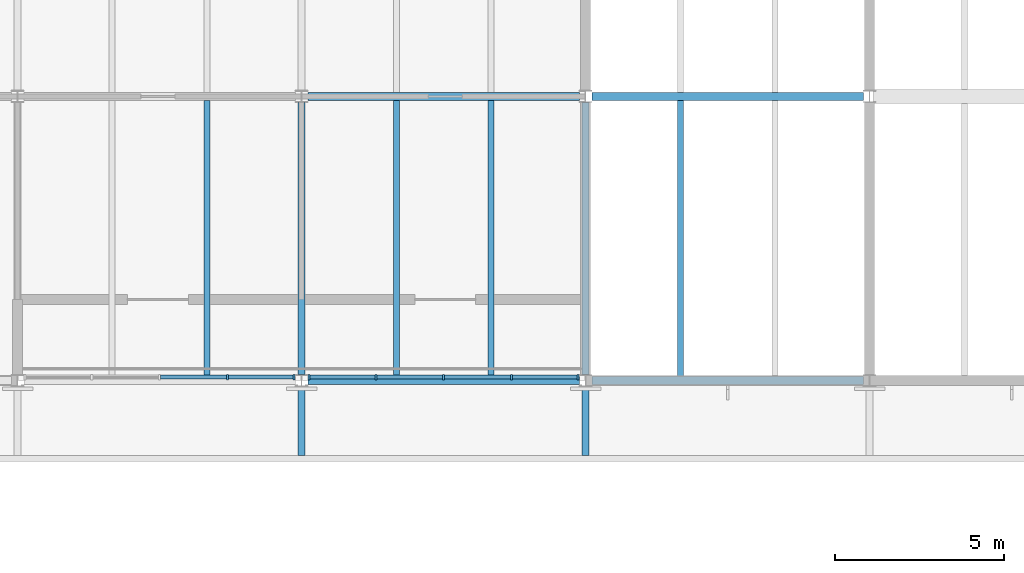
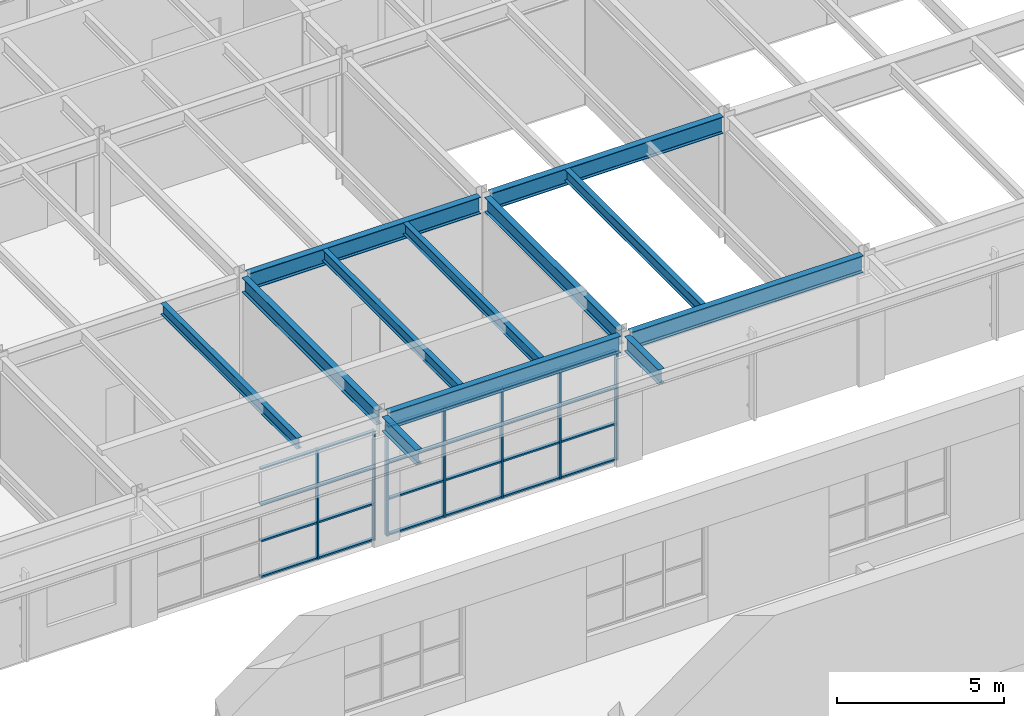
# One storey, part 50 of 116: 31 members, 12 beams, 2 elements without a shape of their own.
"""IFC4 building model written with IfcOpenShell, lengths in metres."""

from ifc_helpers import new_model, si_unit, direction, frame, origin, origin_2d, place, context, subcontext, project, spatial, rectangle, i_section, extrude, material, material_profile, profile_set, type_object, element, aggregate, save


model = new_model("IFC4")

# Units and contexts
model_context = context("Model", 3, precision=1e-05, world=origin(), true_north=direction((0.0, 1.0)))
body_context = subcontext(model_context, "Body", "Model", "MODEL_VIEW")
ifc_project = project(units=[si_unit("LENGTHUNIT", "METRE"), si_unit("AREAUNIT", "SQUARE_METRE"), si_unit("VOLUMEUNIT", "CUBIC_METRE"), si_unit("PLANEANGLEUNIT", "RADIAN"), si_unit("MASSUNIT", "GRAM", prefix="KILO")], contexts=[model_context])

# Site, building, storey
site_placement = place(None, origin())
site = spatial("IfcSite", under=ifc_project, at=site_placement, CompositionType="ELEMENT")
building_placement = place(site_placement, origin())
building = spatial("IfcBuilding", under=site, at=building_placement, Name="Ljudholm Concert House", CompositionType="ELEMENT")
storey_placement = place(building_placement, frame((0.0, 0.0, 10.199951171875)))
storey = spatial("IfcBuildingStorey", under=building, at=storey_placement, Name="L02", CompositionType="ELEMENT", Elevation=10.199951171875)

# Curtain wall, members
ifc_material_1 = material(Name="Aluminium curtain wall with fixed aluminium storm louvre blades, timber-grain finish", Category="aluminium")
curtain_wall_type = type_object("IfcCurtainWallType", Name="CURTAIN WALL 2000", PredefinedType="NOTDEFINED", material=ifc_material_1)
curtain_wall_1_placement = place(storey_placement, origin())
curtain_wall_1 = element("IfcCurtainWall", 1, at=curtain_wall_1_placement, inside=storey, type_object=curtain_wall_type, Name="Storm louvre screen", PredefinedType="NOTDEFINED")
ifc_material_2 = material(Name="Aluminium extrusion", Category="aluminium")
ifc_material_profile_1 = material_profile(ifc_material_2, rectangle(XDim=0.159912109375, YDim=0.06005859375, at=origin_2d()), Name="MULLION 60x160")
ifc_profile_set_1 = profile_set([ifc_material_profile_1], Name="Aluminium extrusion")
member_type_1 = type_object("IfcMemberType", Name="MULLION 60x160", PredefinedType="MULLION", material=ifc_profile_set_1)
member_1_placement = place(storey_placement, frame((69.0048828125, 104.89990234375, 0.0), z_axis=(0.0, 0.0, 1.0), x_axis=(0.0, 1.0, 0.0)))
member_1 = element("IfcMember", 2, at=member_1_placement, type_object=member_type_1, Name="Mullion", PredefinedType="MULLION", context=body_context, shape_type="SweptSolid", body=[
    extrude(rectangle(XDim=0.159912109375, YDim=0.06005859375, at=origin_2d()), origin(), (0.0, 0.0, 1.0), 4.0078125),
])
member_2_placement = place(storey_placement, frame((70.97998046875, 104.89990234375, 0.0), z_axis=(0.0, 0.0, 1.0), x_axis=(0.0, 1.0, 0.0)))
member_2 = element("IfcMember", 3, at=member_2_placement, type_object=member_type_1, Name="Mullion", PredefinedType="MULLION", context=body_context, shape_type="SweptSolid", body=[
    extrude(rectangle(XDim=0.159912109375, YDim=0.06005859375, at=origin_2d()), origin(), (0.0, 0.0, 1.0), 4.0078125),
])

curtain_wall_2_placement = place(storey_placement, origin())
curtain_wall_2 = element("IfcCurtainWall", 4, at=curtain_wall_2_placement, inside=storey, type_object=curtain_wall_type, Name="Storm louvre screen", PredefinedType="NOTDEFINED")
member_3_placement = place(storey_placement, frame((71.419921875, 104.89990234375, 0.0), z_axis=(0.0, 0.0, 1.0), x_axis=(0.0, 1.0, 0.0)))
member_3 = element("IfcMember", 5, at=member_3_placement, type_object=member_type_1, Name="Mullion", PredefinedType="MULLION", context=body_context, shape_type="SweptSolid", body=[
    extrude(rectangle(XDim=0.159912109375, YDim=0.06005859375, at=origin_2d()), origin(), (0.0, 0.0, 1.0), 4.0078125),
])
member_4_placement = place(storey_placement, frame((73.39501953125, 104.89990234375, 0.0), z_axis=(0.0, 0.0, 1.0), x_axis=(0.0, 1.0, 0.0)))
member_4 = element("IfcMember", 6, at=member_4_placement, type_object=member_type_1, Name="Mullion", PredefinedType="MULLION", context=body_context, shape_type="SweptSolid", body=[
    extrude(rectangle(XDim=0.159912109375, YDim=0.06005859375, at=origin_2d()), origin(), (0.0, 0.0, 1.0), 4.0078125),
])
member_5_placement = place(storey_placement, frame((75.39990234375, 104.89990234375, 0.0), z_axis=(0.0, 0.0, 1.0), x_axis=(0.0, 1.0, 0.0)))
member_5 = element("IfcMember", 7, at=member_5_placement, type_object=member_type_1, Name="Mullion", PredefinedType="MULLION", context=body_context, shape_type="SweptSolid", body=[
    extrude(rectangle(XDim=0.159912109375, YDim=0.06005859375, at=origin_2d()), origin(), (0.0, 0.0, 1.0), 4.0078125),
])
member_6_placement = place(storey_placement, frame((77.405029296875, 104.89990234375, 0.0), z_axis=(0.0, 0.0, 1.0), x_axis=(0.0, 1.0, 0.0)))
member_6 = element("IfcMember", 8, at=member_6_placement, type_object=member_type_1, Name="Mullion", PredefinedType="MULLION", context=body_context, shape_type="SweptSolid", body=[
    extrude(rectangle(XDim=0.159912109375, YDim=0.06005859375, at=origin_2d()), origin(), (0.0, 0.0, 1.0), 4.0078125),
])
member_7_placement = place(storey_placement, frame((79.3798828125, 104.89990234375, 0.0), z_axis=(0.0, 0.0, 1.0), x_axis=(0.0, 1.0, 0.0)))
member_7 = element("IfcMember", 9, at=member_7_placement, type_object=member_type_1, Name="Mullion", PredefinedType="MULLION", context=body_context, shape_type="SweptSolid", body=[
    extrude(rectangle(XDim=0.159912109375, YDim=0.06005859375, at=origin_2d()), origin(), (0.0, 0.0, 1.0), 4.0078125),
])

# Beams
ifc_material_3 = material(Name="Steel ASTM A992", Category="steel")
ifc_material_profile_2 = material_profile(ifc_material_3, i_section(OverallWidth=0.177734375, OverallDepth=0.406494140625, WebThickness=0.0078125, FlangeThickness=0.012939453125, FilletRadius=0.01025390625, at=origin_2d()), Name="W16X40")
ifc_profile_set_2 = profile_set([ifc_material_profile_2], Name="Steel ASTM A992")
beam_type_1 = type_object("IfcBeamType", Name="STEEL BEAM W16X40", PredefinedType="BEAM", material=ifc_profile_set_2)
for number, where, z_axis, x_axis, name in (
    (10, (68.39990234375, 104.91455078125, 4.416748046875), (0.0, 1.0, 0.0), (-1.0, 0.0, 0.0), "Beam STUDIO-ROOF-sb-68.4-104.8"),
    (11, (74.0, 104.91455078125, 4.416748046875), (0.0, 1.0, 0.0), (-1.0, 0.0, 0.0), "Beam STUDIO-ROOF-sb-74-104.8"),
    (12, (76.800048828125, 104.91455078125, 4.416748046875), (0.0, 1.0, 0.0), (-1.0, 0.0, 0.0), "Beam STUDIO-ROOF-sb-76.8-104.8"),
    (13, (82.39990234375, 104.91455078125, 4.416748046875), (0.0, 1.0, 0.0), (-1.0, 0.0, 0.0), "Beam STUDIO-ROOF-sb-82.4-104.8"),
):
    element("IfcBeam", number, at=place(storey_placement, frame(where, z_axis=z_axis, x_axis=x_axis)), inside=storey, type_object=beam_type_1, Name=name, PredefinedType="BEAM", context=body_context, shape_type="SweptSolid", body=[
        extrude(i_section(OverallWidth=0.177734375, OverallDepth=0.406494140625, WebThickness=0.0078125, FlangeThickness=0.012939453125, FilletRadius=0.01025390625, at=origin_2d()), origin(), (0.0, 0.0, 1.0), 8.1708984375),
    ])
ifc_material_4 = material(Name="Steel ASTM A992", Category="steel")
ifc_material_profile_3 = material_profile(ifc_material_4, i_section(OverallWidth=0.209228515625, OverallDepth=0.533447265625, WebThickness=0.01025390625, FlangeThickness=0.015625, FilletRadius=0.012939453125, at=origin_2d()), Name="W21X62")
ifc_profile_set_3 = profile_set([ifc_material_profile_3], Name="Steel ASTM A992")
beam_type_2 = type_object("IfcBeamType", Name="STEEL BEAM W21X62", PredefinedType="BEAM", material=ifc_profile_set_3)
for number, where, z_axis, x_axis, name in (
    (14, (71.199951171875, 104.977783203125, 4.353271484375), (0.0, 1.0, 0.0), (-1.0, 0.0, 0.0), "Beam STUDIO-ROOF-gy-71.2-104.8"),
    (15, (79.60009765625, 104.977783203125, 4.353271484375), (0.0, 1.0, 0.0), (-1.0, 0.0, 0.0), "Beam STUDIO-ROOF-gy-79.6-104.8"),
):
    element("IfcBeam", number, at=place(storey_placement, frame(where, z_axis=z_axis, x_axis=x_axis)), inside=storey, type_object=beam_type_2, Name=name, PredefinedType="BEAM", context=body_context, shape_type="SweptSolid", body=[
        extrude(i_section(OverallWidth=0.209228515625, OverallDepth=0.533447265625, WebThickness=0.01025390625, FlangeThickness=0.015625, FilletRadius=0.012939453125, at=origin_2d()), origin(), (0.0, 0.0, 1.0), 8.04443359375),
    ])
for number, where, z_axis, x_axis, name in (
    (16, (71.199951171875, 104.622314453125, 4.353271484375), (0.0, -1.0, 0.0), (1.0, 0.0, 0.0), "Beam STUDIO-ROOF-eave-gS-71.2"),
    (17, (79.60009765625, 104.622314453125, 4.353271484375), (0.0, -1.0, 0.0), (1.0, 0.0, 0.0), "Beam STUDIO-ROOF-eave-gS-79.6"),
):
    element("IfcBeam", number, at=place(storey_placement, frame(where, z_axis=z_axis, x_axis=x_axis)), inside=storey, type_object=beam_type_2, Name=name, PredefinedType="BEAM", context=body_context, shape_type="SweptSolid", body=[
        extrude(i_section(OverallWidth=0.209228515625, OverallDepth=0.533447265625, WebThickness=0.01025390625, FlangeThickness=0.015625, FilletRadius=0.012939453125, at=origin_2d()), origin(), (0.0, 0.0, 1.0), 2.04443359375),
    ])
ifc_material_5 = material(Name="Steel ASTM A992", Category="steel")
ifc_material_profile_4 = material_profile(ifc_material_5, i_section(OverallWidth=0.22900390625, OverallDepth=0.612060546875, WebThickness=0.011962890625, FlangeThickness=0.01953125, FilletRadius=0.0126953125, at=origin_2d()), Name="W24X84")
ifc_profile_set_4 = profile_set([ifc_material_profile_4], Name="Steel ASTM A992")
beam_type_3 = type_object("IfcBeamType", Name="STEEL BEAM W24X84", PredefinedType="BEAM", material=ifc_profile_set_4)
for number, where, z_axis, x_axis, name in (
    (18, (71.384033203125, 104.800048828125, 4.31396484375), (1.0, 0.0, 0.0), (0.0, 1.0, 0.0), "Beam STUDIO-ROOF-gx-71.2-104.8"),
    (19, (79.7841796875, 104.800048828125, 4.31396484375), (1.0, 0.0, 0.0), (0.0, 1.0, 0.0), "Beam STUDIO-ROOF-gx-79.6-104.8"),
    (20, (71.384033203125, 113.199951171875, 4.31396484375), (1.0, 0.0, 0.0), (0.0, 1.0, 0.0), "Beam STUDIO-ROOF-gx-71.2-113.2"),
    (21, (79.7841796875, 113.199951171875, 4.31396484375), (1.0, 0.0, 0.0), (0.0, 1.0, 0.0), "Beam STUDIO-ROOF-gx-79.6-113.2"),
):
    element("IfcBeam", number, at=place(storey_placement, frame(where, z_axis=z_axis, x_axis=x_axis)), inside=storey, type_object=beam_type_3, Name=name, PredefinedType="BEAM", context=body_context, shape_type="SweptSolid", body=[
        extrude(i_section(OverallWidth=0.22900390625, OverallDepth=0.612060546875, WebThickness=0.011962890625, FlangeThickness=0.01953125, FilletRadius=0.0126953125, at=origin_2d()), origin(), (0.0, 0.0, 1.0), 8.03173828125),
    ])

# Member
ifc_material_6 = material(Name="Aluminium extrusion", Category="aluminium")
ifc_material_profile_5 = material_profile(ifc_material_6, rectangle(XDim=0.1201171875, YDim=0.06005859375, at=origin_2d()), Name="TRANSOM 60x120")
ifc_profile_set_5 = profile_set([ifc_material_profile_5], Name="Aluminium extrusion")
member_type_2 = type_object("IfcMemberType", Name="TRANSOM 60x120", PredefinedType="USERDEFINED", material=ifc_profile_set_5)
member_8_placement = place(storey_placement, frame((67.030029296875, 104.89990234375, 0.030029296875), z_axis=(1.0, 0.0, 0.0), x_axis=(0.0, 1.0, 0.0)))
member_8 = element("IfcMember", 22, at=member_8_placement, type_object=member_type_2, Name="Transom", ObjectType="TRANSOM", PredefinedType="USERDEFINED", context=body_context, shape_type="SweptSolid", body=[
    extrude(rectangle(XDim=0.1201171875, YDim=0.06005859375, at=origin_2d()), origin(), (0.0, 0.0, 1.0), 1.945068359375),
])

member_9_placement = place(storey_placement, frame((67.030029296875, 104.89990234375, 1.3359375), z_axis=(1.0, 0.0, 0.0), x_axis=(0.0, 1.0, 0.0)))
member_9 = element("IfcMember", 23, at=member_9_placement, type_object=member_type_2, Name="Transom", ObjectType="TRANSOM", PredefinedType="USERDEFINED", context=body_context, shape_type="SweptSolid", body=[
    extrude(rectangle(XDim=0.1201171875, YDim=0.06005859375, at=origin_2d()), origin(), (0.0, 0.0, 1.0), 1.945068359375),
])

member_10_placement = place(storey_placement, frame((67.030029296875, 104.89990234375, 2.671875), z_axis=(1.0, 0.0, 0.0), x_axis=(0.0, 1.0, 0.0)))
member_10 = element("IfcMember", 24, at=member_10_placement, type_object=member_type_2, Name="Transom", ObjectType="TRANSOM", PredefinedType="USERDEFINED", context=body_context, shape_type="SweptSolid", body=[
    extrude(rectangle(XDim=0.1201171875, YDim=0.06005859375, at=origin_2d()), origin(), (0.0, 0.0, 1.0), 1.945068359375),
])

member_11_placement = place(storey_placement, frame((67.030029296875, 104.89990234375, 3.97802734375), z_axis=(1.0, 0.0, 0.0), x_axis=(0.0, 1.0, 0.0)))
member_11 = element("IfcMember", 25, at=member_11_placement, type_object=member_type_2, Name="Transom", ObjectType="TRANSOM", PredefinedType="USERDEFINED", context=body_context, shape_type="SweptSolid", body=[
    extrude(rectangle(XDim=0.1201171875, YDim=0.06005859375, at=origin_2d()), origin(), (0.0, 0.0, 1.0), 1.945068359375),
])

member_12_placement = place(storey_placement, frame((69.034912109375, 104.89990234375, 0.030029296875), z_axis=(1.0, 0.0, 0.0), x_axis=(0.0, 1.0, 0.0)))
member_12 = element("IfcMember", 26, at=member_12_placement, type_object=member_type_2, Name="Transom", ObjectType="TRANSOM", PredefinedType="USERDEFINED", context=body_context, shape_type="SweptSolid", body=[
    extrude(rectangle(XDim=0.1201171875, YDim=0.06005859375, at=origin_2d()), origin(), (0.0, 0.0, 1.0), 1.9150390625),
])

member_13_placement = place(storey_placement, frame((69.034912109375, 104.89990234375, 1.3359375), z_axis=(1.0, 0.0, 0.0), x_axis=(0.0, 1.0, 0.0)))
member_13 = element("IfcMember", 27, at=member_13_placement, type_object=member_type_2, Name="Transom", ObjectType="TRANSOM", PredefinedType="USERDEFINED", context=body_context, shape_type="SweptSolid", body=[
    extrude(rectangle(XDim=0.1201171875, YDim=0.06005859375, at=origin_2d()), origin(), (0.0, 0.0, 1.0), 1.9150390625),
])

member_14_placement = place(storey_placement, frame((69.034912109375, 104.89990234375, 2.671875), z_axis=(1.0, 0.0, 0.0), x_axis=(0.0, 1.0, 0.0)))
member_14 = element("IfcMember", 28, at=member_14_placement, type_object=member_type_2, Name="Transom", ObjectType="TRANSOM", PredefinedType="USERDEFINED", context=body_context, shape_type="SweptSolid", body=[
    extrude(rectangle(XDim=0.1201171875, YDim=0.06005859375, at=origin_2d()), origin(), (0.0, 0.0, 1.0), 1.9150390625),
])

member_15_placement = place(storey_placement, frame((69.034912109375, 104.89990234375, 3.97802734375), z_axis=(1.0, 0.0, 0.0), x_axis=(0.0, 1.0, 0.0)))
member_15 = element("IfcMember", 29, at=member_15_placement, type_object=member_type_2, Name="Transom", ObjectType="TRANSOM", PredefinedType="USERDEFINED", context=body_context, shape_type="SweptSolid", body=[
    extrude(rectangle(XDim=0.1201171875, YDim=0.06005859375, at=origin_2d()), origin(), (0.0, 0.0, 1.0), 1.9150390625),
])

aggregate(curtain_wall_1, [member_1, member_2, member_8, member_9, member_10, member_11, member_12, member_13, member_14, member_15])

member_16_placement = place(storey_placement, frame((71.449951171875, 104.89990234375, 0.030029296875), z_axis=(1.0, 0.0, 0.0), x_axis=(0.0, 1.0, 0.0)))
member_16 = element("IfcMember", 30, at=member_16_placement, type_object=member_type_2, Name="Transom", ObjectType="TRANSOM", PredefinedType="USERDEFINED", context=body_context, shape_type="SweptSolid", body=[
    extrude(rectangle(XDim=0.1201171875, YDim=0.06005859375, at=origin_2d()), origin(), (0.0, 0.0, 1.0), 1.9150390625),
])

member_17_placement = place(storey_placement, frame((71.449951171875, 104.89990234375, 1.3359375), z_axis=(1.0, 0.0, 0.0), x_axis=(0.0, 1.0, 0.0)))
member_17 = element("IfcMember", 31, at=member_17_placement, type_object=member_type_2, Name="Transom", ObjectType="TRANSOM", PredefinedType="USERDEFINED", context=body_context, shape_type="SweptSolid", body=[
    extrude(rectangle(XDim=0.1201171875, YDim=0.06005859375, at=origin_2d()), origin(), (0.0, 0.0, 1.0), 1.9150390625),
])

member_18_placement = place(storey_placement, frame((71.449951171875, 104.89990234375, 2.671875), z_axis=(1.0, 0.0, 0.0), x_axis=(0.0, 1.0, 0.0)))
member_18 = element("IfcMember", 32, at=member_18_placement, type_object=member_type_2, Name="Transom", ObjectType="TRANSOM", PredefinedType="USERDEFINED", context=body_context, shape_type="SweptSolid", body=[
    extrude(rectangle(XDim=0.1201171875, YDim=0.06005859375, at=origin_2d()), origin(), (0.0, 0.0, 1.0), 1.9150390625),
])

member_19_placement = place(storey_placement, frame((71.449951171875, 104.89990234375, 3.97802734375), z_axis=(1.0, 0.0, 0.0), x_axis=(0.0, 1.0, 0.0)))
member_19 = element("IfcMember", 33, at=member_19_placement, type_object=member_type_2, Name="Transom", ObjectType="TRANSOM", PredefinedType="USERDEFINED", context=body_context, shape_type="SweptSolid", body=[
    extrude(rectangle(XDim=0.1201171875, YDim=0.06005859375, at=origin_2d()), origin(), (0.0, 0.0, 1.0), 1.9150390625),
])

member_20_placement = place(storey_placement, frame((73.425048828125, 104.89990234375, 0.030029296875), z_axis=(1.0, 0.0, 0.0), x_axis=(0.0, 1.0, 0.0)))
member_20 = element("IfcMember", 34, at=member_20_placement, type_object=member_type_2, Name="Transom", ObjectType="TRANSOM", PredefinedType="USERDEFINED", context=body_context, shape_type="SweptSolid", body=[
    extrude(rectangle(XDim=0.1201171875, YDim=0.06005859375, at=origin_2d()), origin(), (0.0, 0.0, 1.0), 1.945068359375),
])

member_21_placement = place(storey_placement, frame((73.425048828125, 104.89990234375, 1.3359375), z_axis=(1.0, 0.0, 0.0), x_axis=(0.0, 1.0, 0.0)))
member_21 = element("IfcMember", 35, at=member_21_placement, type_object=member_type_2, Name="Transom", ObjectType="TRANSOM", PredefinedType="USERDEFINED", context=body_context, shape_type="SweptSolid", body=[
    extrude(rectangle(XDim=0.1201171875, YDim=0.06005859375, at=origin_2d()), origin(), (0.0, 0.0, 1.0), 1.945068359375),
])

member_22_placement = place(storey_placement, frame((73.425048828125, 104.89990234375, 2.671875), z_axis=(1.0, 0.0, 0.0), x_axis=(0.0, 1.0, 0.0)))
member_22 = element("IfcMember", 36, at=member_22_placement, type_object=member_type_2, Name="Transom", ObjectType="TRANSOM", PredefinedType="USERDEFINED", context=body_context, shape_type="SweptSolid", body=[
    extrude(rectangle(XDim=0.1201171875, YDim=0.06005859375, at=origin_2d()), origin(), (0.0, 0.0, 1.0), 1.945068359375),
])

member_23_placement = place(storey_placement, frame((73.425048828125, 104.89990234375, 3.97802734375), z_axis=(1.0, 0.0, 0.0), x_axis=(0.0, 1.0, 0.0)))
member_23 = element("IfcMember", 37, at=member_23_placement, type_object=member_type_2, Name="Transom", ObjectType="TRANSOM", PredefinedType="USERDEFINED", context=body_context, shape_type="SweptSolid", body=[
    extrude(rectangle(XDim=0.1201171875, YDim=0.06005859375, at=origin_2d()), origin(), (0.0, 0.0, 1.0), 1.945068359375),
])

member_24_placement = place(storey_placement, frame((75.429931640625, 104.89990234375, 0.030029296875), z_axis=(1.0, 0.0, 0.0), x_axis=(0.0, 1.0, 0.0)))
member_24 = element("IfcMember", 38, at=member_24_placement, type_object=member_type_2, Name="Transom", ObjectType="TRANSOM", PredefinedType="USERDEFINED", context=body_context, shape_type="SweptSolid", body=[
    extrude(rectangle(XDim=0.1201171875, YDim=0.06005859375, at=origin_2d()), origin(), (0.0, 0.0, 1.0), 1.945068359375),
])

member_25_placement = place(storey_placement, frame((75.429931640625, 104.89990234375, 1.3359375), z_axis=(1.0, 0.0, 0.0), x_axis=(0.0, 1.0, 0.0)))
member_25 = element("IfcMember", 39, at=member_25_placement, type_object=member_type_2, Name="Transom", ObjectType="TRANSOM", PredefinedType="USERDEFINED", context=body_context, shape_type="SweptSolid", body=[
    extrude(rectangle(XDim=0.1201171875, YDim=0.06005859375, at=origin_2d()), origin(), (0.0, 0.0, 1.0), 1.945068359375),
])

member_26_placement = place(storey_placement, frame((75.429931640625, 104.89990234375, 2.671875), z_axis=(1.0, 0.0, 0.0), x_axis=(0.0, 1.0, 0.0)))
member_26 = element("IfcMember", 40, at=member_26_placement, type_object=member_type_2, Name="Transom", ObjectType="TRANSOM", PredefinedType="USERDEFINED", context=body_context, shape_type="SweptSolid", body=[
    extrude(rectangle(XDim=0.1201171875, YDim=0.06005859375, at=origin_2d()), origin(), (0.0, 0.0, 1.0), 1.945068359375),
])

member_27_placement = place(storey_placement, frame((75.429931640625, 104.89990234375, 3.97802734375), z_axis=(1.0, 0.0, 0.0), x_axis=(0.0, 1.0, 0.0)))
member_27 = element("IfcMember", 41, at=member_27_placement, type_object=member_type_2, Name="Transom", ObjectType="TRANSOM", PredefinedType="USERDEFINED", context=body_context, shape_type="SweptSolid", body=[
    extrude(rectangle(XDim=0.1201171875, YDim=0.06005859375, at=origin_2d()), origin(), (0.0, 0.0, 1.0), 1.945068359375),
])

member_28_placement = place(storey_placement, frame((77.43505859375, 104.89990234375, 0.030029296875), z_axis=(1.0, 0.0, 0.0), x_axis=(0.0, 1.0, 0.0)))
member_28 = element("IfcMember", 42, at=member_28_placement, type_object=member_type_2, Name="Transom", ObjectType="TRANSOM", PredefinedType="USERDEFINED", context=body_context, shape_type="SweptSolid", body=[
    extrude(rectangle(XDim=0.1201171875, YDim=0.06005859375, at=origin_2d()), origin(), (0.0, 0.0, 1.0), 1.9150390625),
])

member_29_placement = place(storey_placement, frame((77.43505859375, 104.89990234375, 1.3359375), z_axis=(1.0, 0.0, 0.0), x_axis=(0.0, 1.0, 0.0)))
member_29 = element("IfcMember", 43, at=member_29_placement, type_object=member_type_2, Name="Transom", ObjectType="TRANSOM", PredefinedType="USERDEFINED", context=body_context, shape_type="SweptSolid", body=[
    extrude(rectangle(XDim=0.1201171875, YDim=0.06005859375, at=origin_2d()), origin(), (0.0, 0.0, 1.0), 1.9150390625),
])

member_30_placement = place(storey_placement, frame((77.43505859375, 104.89990234375, 2.671875), z_axis=(1.0, 0.0, 0.0), x_axis=(0.0, 1.0, 0.0)))
member_30 = element("IfcMember", 44, at=member_30_placement, type_object=member_type_2, Name="Transom", ObjectType="TRANSOM", PredefinedType="USERDEFINED", context=body_context, shape_type="SweptSolid", body=[
    extrude(rectangle(XDim=0.1201171875, YDim=0.06005859375, at=origin_2d()), origin(), (0.0, 0.0, 1.0), 1.9150390625),
])

member_31_placement = place(storey_placement, frame((77.43505859375, 104.89990234375, 3.97802734375), z_axis=(1.0, 0.0, 0.0), x_axis=(0.0, 1.0, 0.0)))
member_31 = element("IfcMember", 45, at=member_31_placement, type_object=member_type_2, Name="Transom", ObjectType="TRANSOM", PredefinedType="USERDEFINED", context=body_context, shape_type="SweptSolid", body=[
    extrude(rectangle(XDim=0.1201171875, YDim=0.06005859375, at=origin_2d()), origin(), (0.0, 0.0, 1.0), 1.9150390625),
])

aggregate(curtain_wall_2, [member_3, member_4, member_5, member_6, member_7, member_16, member_17, member_18, member_19, member_20, member_21, member_22, member_23, member_24, member_25, member_26, member_27, member_28, member_29, member_30, member_31])

save(model, "model.ifc")
